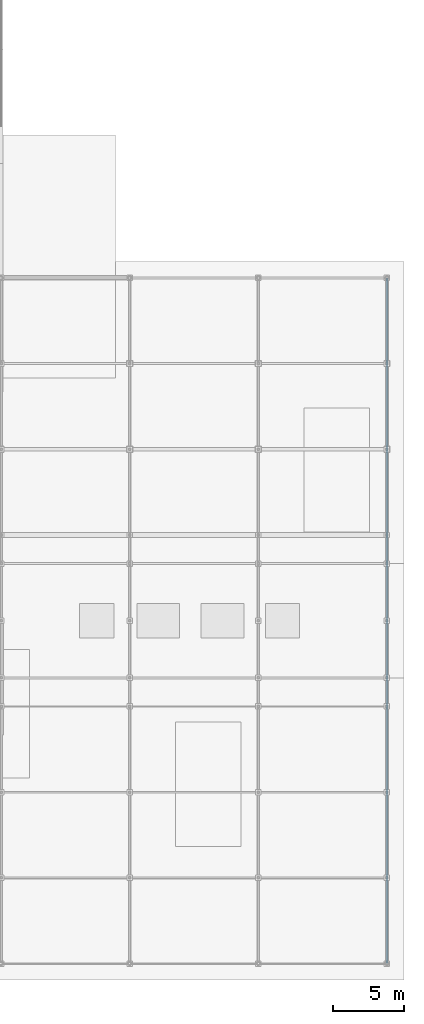
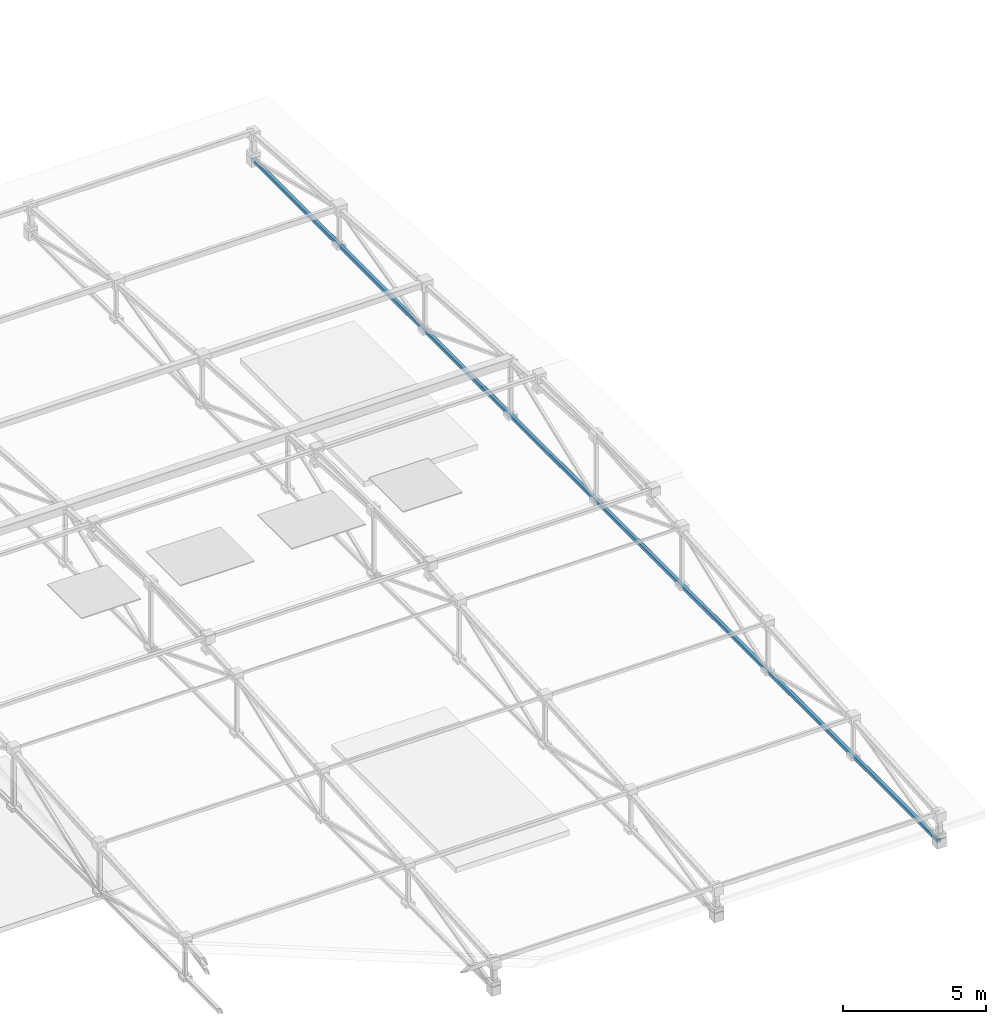
# One storey, part 31 of 85: 1 beam.
"""IFC4 building model written with IfcOpenShell, lengths in metres."""

from ifc_helpers import new_model, si_unit, direction, frame, origin, origin_2d, place, context, subcontext, project, spatial, hollow_rectangle, extrude, material, material_profile, profile_set, type_object, element, save


model = new_model("IFC4")

# Units and contexts
model_context = context("Model", 3, precision=1e-05, world=origin(), true_north=direction((0.0, 1.0)))
body_context = subcontext(model_context, "Body", "Model", "MODEL_VIEW")
ifc_project = project(units=[si_unit("LENGTHUNIT", "METRE"), si_unit("AREAUNIT", "SQUARE_METRE"), si_unit("VOLUMEUNIT", "CUBIC_METRE"), si_unit("PLANEANGLEUNIT", "RADIAN"), si_unit("MASSUNIT", "GRAM", prefix="KILO"), si_unit("THERMODYNAMICTEMPERATUREUNIT", "KELVIN"), si_unit("POWERUNIT", "WATT")], contexts=[model_context])

# Site, building, storey
site_placement = place(None, origin())
site = spatial("IfcSite", under=ifc_project, at=site_placement, CompositionType="ELEMENT")
building_placement = place(site_placement, origin())
building = spatial("IfcBuilding", under=site, at=building_placement, Name="Zelmaris Science Centre", CompositionType="ELEMENT")
storey_placement = place(building_placement, frame((0.0, 0.0, 20.39990234375)))
storey = spatial("IfcBuildingStorey", under=building, at=storey_placement, Name="L04", CompositionType="ELEMENT", Elevation=20.39990234375)

# Beam
ifc_material = material(Name="Steel ASTM A500 Grade C", Category="steel")
ifc_material_profile = material_profile(ifc_material, hollow_rectangle(XDim=0.15234375, YDim=0.15234375, WallThickness=0.0087890625, InnerFilletRadius=0.0087890625, OuterFilletRadius=0.017822265625, at=origin_2d()), Name="HSS152X152X10")
ifc_profile_set = profile_set([ifc_material_profile], Name="Steel ASTM A500 Grade C")
beam_type = type_object("IfcBeamType", Name="Beam G-21 HSS152X152X10", PredefinedType="BEAM", material=ifc_profile_set)
beam_placement = place(storey_placement, frame((135.0, 8.0, 0.947998046875), z_axis=(0.0, 1.0, 0.0), x_axis=(-1.0, 0.0, 0.0)))
element("IfcBeam", 1, at=beam_placement, inside=storey, type_object=beam_type, Name="RF-V4 Roof truss 4 bottom chord", PredefinedType="BEAM", context=body_context, shape_type="SweptSolid", body=[
    extrude(hollow_rectangle(XDim=0.15234375, YDim=0.15234375, WallThickness=0.0087890625, InnerFilletRadius=0.0087890625, OuterFilletRadius=0.017822265625, at=origin_2d()), origin(), (0.0, 0.0, 1.0), 48.0),
])

save(model, "model.ifc")
